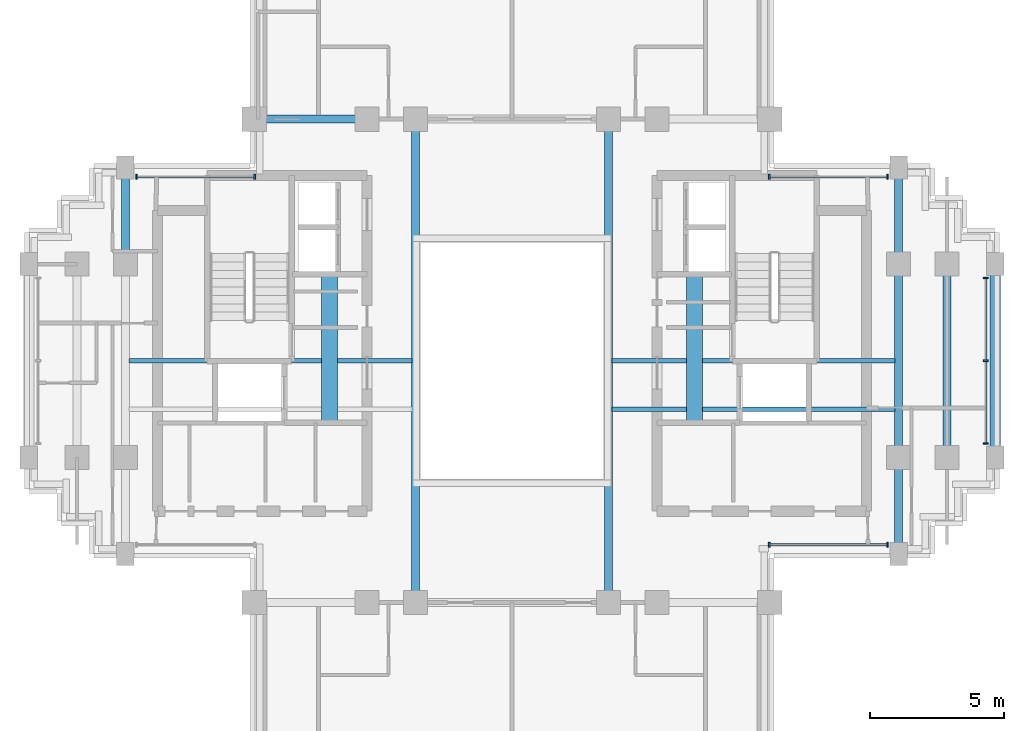
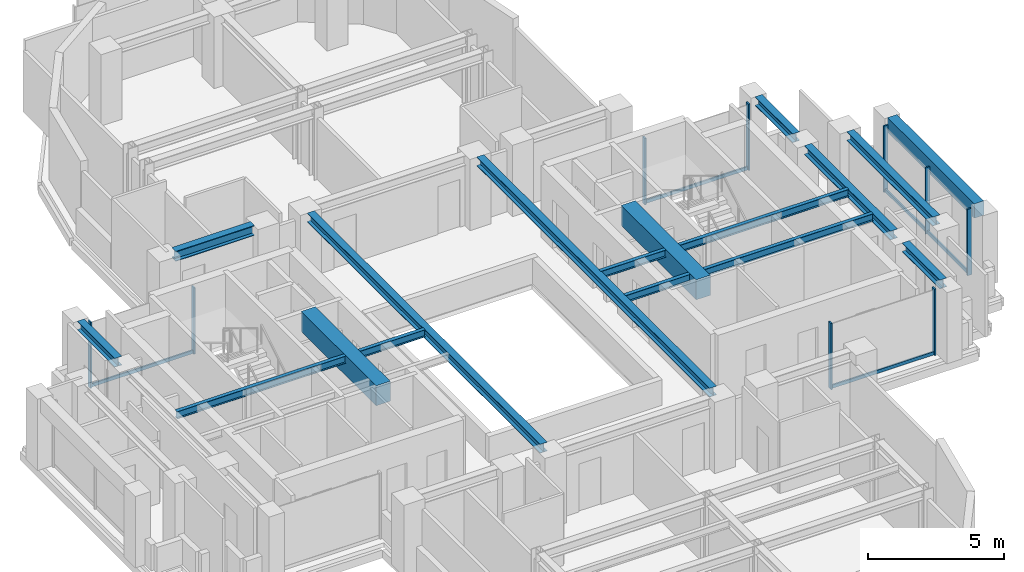
# One storey, part 3 of 12: 14 beams, 14 members, 4 elements without a shape of their own.
"""IFC4 building model written with IfcOpenShell, lengths in metres."""

from ifc_helpers import new_model, si_unit, direction, frame, origin, origin_2d, place, context, subcontext, project, spatial, rectangle, i_section, extrude, source, transform, mapped, material, material_profile, profile_set, type_object, element, aggregate, save


model = new_model("IFC4")

# Units and contexts
model_context = context("Model", 3, precision=1e-05, world=origin(), true_north=direction((0.0, 1.0)))
body_context = subcontext(model_context, "Body", "Model", "MODEL_VIEW")
ifc_project = project(units=[si_unit("LENGTHUNIT", "METRE"), si_unit("AREAUNIT", "SQUARE_METRE"), si_unit("VOLUMEUNIT", "CUBIC_METRE"), si_unit("PLANEANGLEUNIT", "RADIAN"), si_unit("MASSUNIT", "GRAM", prefix="KILO")], contexts=[model_context])

# Site, building, storey
site_placement = place(None, origin())
site = spatial("IfcSite", under=ifc_project, at=site_placement, CompositionType="ELEMENT")
building_placement = place(site_placement, origin())
building = spatial("IfcBuilding", under=site, at=building_placement, Name="Keilestroom Media Tower", CompositionType="ELEMENT")
storey_placement = place(building_placement, frame((0.0, 0.0, 187.60009765625)))
storey = spatial("IfcBuildingStorey", under=building, at=storey_placement, Name="L51", CompositionType="ELEMENT", Elevation=187.60009765625)

# Beams
ifc_material_1 = material(Name="Concrete C70/85", Category="concrete")
ifc_material_profile_1 = material_profile(ifc_material_1, rectangle(XDim=0.60009765625, YDim=0.89990234375, at=origin_2d()), Name="RC 600x900")
ifc_profile_set_1 = profile_set([ifc_material_profile_1], Name="Concrete C70/85")
beam_type_1 = type_object("IfcBeamType", Name="Core-Coupling-Lintel-Beam-RC-600x900", PredefinedType="LINTEL", material=ifc_profile_set_1)
shared_shape_1 = source(origin(), body_context, "Body", "SweptSolid", [
    extrude(rectangle(XDim=0.60009765625, YDim=0.89990234375, at=origin_2d()), origin(), (0.0, 0.0, 1.0), 5.52001953125),
])
for number, where, z_axis, x_axis, name in (
    (1, (-6.800048828125, -2.300048828125, 2.75), (0.0, 1.0, 0.0), (-1.0, 0.0, 0.0), "L51 Beam CLB-1 CLB-L51-W"),
    (2, (6.800048828125, -2.300048828125, 2.75), (0.0, 1.0, 0.0), (-1.0, 0.0, 0.0), "L51 Beam CLB-1 CLB-L51-E"),
):
    element("IfcBeam", number, at=place(storey_placement, frame(where, z_axis=z_axis, x_axis=x_axis)), inside=storey, type_object=beam_type_1, Name=name, PredefinedType="LINTEL", context=body_context, shape_type="MappedRepresentation", body=[
        mapped(shared_shape_1, transform((0.0, 0.0, 0.0), x_axis=(1.0, 0.0, 0.0), y_axis=(0.0, 1.0, 0.0), z_axis=(0.0, 0.0, 1.0), scale=1.0)),
    ])
ifc_material_2 = material(Name="Steel S355", Category="steel")
ifc_material_profile_2 = material_profile(ifc_material_2, i_section(OverallWidth=0.300048828125, OverallDepth=0.449951171875, WebThickness=0.011962890625, FlangeThickness=0.02587890625, at=origin_2d()), Name="HEB 450")
ifc_profile_set_2 = profile_set([ifc_material_profile_2], Name="Steel S355")
beam_type_2 = type_object("IfcBeamType", Name="Primary-Structural-Girder-HEB-450", PredefinedType="BEAM", material=ifc_profile_set_2)
shared_shape_2 = source(origin(), body_context, "Body", "SweptSolid", [
    extrude(i_section(OverallWidth=0.300048828125, OverallDepth=0.449951171875, WebThickness=0.011962890625, FlangeThickness=0.02587890625, at=origin_2d()), origin(), (0.0, 0.0, 1.0), 3.33984375),
])
beam_1_placement = place(storey_placement, frame((-9.169921875, 9.0, 2.974853515625), z_axis=(1.0, 0.0, 0.0), x_axis=(0.0, 1.0, 0.0)))
element("IfcBeam", 3, at=beam_1_placement, inside=storey, type_object=beam_type_2, Name="L51 Beam BG-7 BM-L51-EW-020", PredefinedType="BEAM", context=body_context, shape_type="MappedRepresentation", body=[
    mapped(shared_shape_2, transform((0.0, 0.0, 0.0), x_axis=(1.0, 0.0, 0.0), y_axis=(0.0, 1.0, 0.0), z_axis=(0.0, 0.0, 1.0), scale=1.0)),
])
ifc_material_3 = material(Name="Precast concrete C40/50", Category="concrete")
ifc_material_profile_3 = material_profile(ifc_material_3, rectangle(XDim=0.39990234375, YDim=0.64990234375, at=origin_2d()), Name="PC 400x650")
ifc_profile_set_3 = profile_set([ifc_material_profile_3], Name="Precast concrete C40/50")
beam_type_3 = type_object("IfcBeamType", Name="Perimeter-Spandrel-Beam-PC-400x650", PredefinedType="SPANDREL", material=ifc_profile_set_3)
shared_shape_3 = source(origin(), body_context, "Body", "SweptSolid", [
    extrude(rectangle(XDim=0.39990234375, YDim=0.64990234375, at=origin_2d()), origin(), (0.0, 0.0, 1.0), 6.39013671875),
])
beam_2_placement = place(storey_placement, frame((18.0, -3.195068359375, 2.875), z_axis=(0.0, 1.0, 0.0), x_axis=(-1.0, 0.0, 0.0)))
element("IfcBeam", 4, at=beam_2_placement, inside=storey, type_object=beam_type_3, Name="L51 Beam SPB-2 BM-L51-NS-054", PredefinedType="SPANDREL", context=body_context, shape_type="MappedRepresentation", body=[
    mapped(shared_shape_3, transform((0.0, 0.0, 0.0), x_axis=(1.0, 0.0, 0.0), y_axis=(0.0, 1.0, 0.0), z_axis=(0.0, 0.0, 1.0), scale=1.0)),
])
ifc_material_profile_4 = material_profile(ifc_material_2, i_section(OverallWidth=0.300048828125, OverallDepth=0.39990234375, WebThickness=0.011474609375, FlangeThickness=0.02392578125, at=origin_2d()), Name="HEB 400")
ifc_profile_set_4 = profile_set([ifc_material_profile_4], Name="Steel S355")
beam_type_4 = type_object("IfcBeamType", Name="Primary-Structural-Girder-HEB-400", PredefinedType="BEAM", material=ifc_profile_set_4)
shared_shape_4 = source(origin(), body_context, "Body", "SweptSolid", [
    extrude(i_section(OverallWidth=0.300048828125, OverallDepth=0.39990234375, WebThickness=0.011474609375, FlangeThickness=0.02392578125, at=origin_2d()), origin(), (0.0, 0.0, 1.0), 6.33984375),
])
for number, where, z_axis, x_axis, name in (
    (5, (14.39990234375, -3.169921875, 3.0), (0.0, 1.0, 0.0), (-1.0, 0.0, 0.0), "L51 Beam BG-8 BM-L51-NS-051"),
    (6, (16.199951171875, -3.169921875, 3.0), (0.0, 1.0, 0.0), (-1.0, 0.0, 0.0), "L51 Beam BG-8 BM-L51-NS-053"),
):
    element("IfcBeam", number, at=place(storey_placement, frame(where, z_axis=z_axis, x_axis=x_axis)), inside=storey, type_object=beam_type_4, Name=name, PredefinedType="BEAM", context=body_context, shape_type="MappedRepresentation", body=[
        mapped(shared_shape_4, transform((0.0, 0.0, 0.0), x_axis=(1.0, 0.0, 0.0), y_axis=(0.0, 1.0, 0.0), z_axis=(0.0, 0.0, 1.0), scale=1.0)),
    ])
shared_shape_5 = source(origin(), body_context, "Body", "SweptSolid", [
    extrude(i_section(OverallWidth=0.300048828125, OverallDepth=0.39990234375, WebThickness=0.011474609375, FlangeThickness=0.02392578125, at=origin_2d()), origin(), (0.0, 0.0, 1.0), 2.764892578125),
])
for number, where, z_axis, x_axis, name in (
    (7, (-14.39990234375, 4.030029296875, 3.0), (0.0, 1.0, 0.0), (-1.0, 0.0, 0.0), "L51 Beam BG-8 BM-L51-NS-035"),
    (8, (14.39990234375, -6.794921875, 3.0), (0.0, 1.0, 0.0), (-1.0, 0.0, 0.0), "L51 Beam BG-8 BM-L51-NS-050"),
    (9, (14.39990234375, 4.030029296875, 3.0), (0.0, 1.0, 0.0), (-1.0, 0.0, 0.0), "L51 Beam BG-8 BM-L51-NS-052"),
):
    element("IfcBeam", number, at=place(storey_placement, frame(where, z_axis=z_axis, x_axis=x_axis)), inside=storey, type_object=beam_type_4, Name=name, PredefinedType="BEAM", context=body_context, shape_type="MappedRepresentation", body=[
        mapped(shared_shape_5, transform((0.0, 0.0, 0.0), x_axis=(1.0, 0.0, 0.0), y_axis=(0.0, 1.0, 0.0), z_axis=(0.0, 0.0, 1.0), scale=1.0)),
    ])
shared_shape_6 = source(origin(), body_context, "Body", "SweptSolid", [
    extrude(i_section(OverallWidth=0.300048828125, OverallDepth=0.39990234375, WebThickness=0.011474609375, FlangeThickness=0.02392578125, at=origin_2d()), origin(), (0.0, 0.0, 1.0), 17.14013671875),
])
for number, where, z_axis, x_axis, name in (
    (10, (-3.60009765625, -8.570068359375, 3.0), (0.0, 1.0, 0.0), (-1.0, 0.0, 0.0), "L51 Beam BG-8 BM-L51-NS-040"),
    (11, (3.60009765625, -8.570068359375, 3.0), (0.0, 1.0, 0.0), (-1.0, 0.0, 0.0), "L51 Beam BG-8 BM-L51-NS-045"),
):
    element("IfcBeam", number, at=place(storey_placement, frame(where, z_axis=z_axis, x_axis=x_axis)), inside=storey, type_object=beam_type_4, Name=name, PredefinedType="BEAM", context=body_context, shape_type="MappedRepresentation", body=[
        mapped(shared_shape_6, transform((0.0, 0.0, 0.0), x_axis=(1.0, 0.0, 0.0), y_axis=(0.0, 1.0, 0.0), z_axis=(0.0, 0.0, 1.0), scale=1.0)),
    ])
ifc_material_profile_5 = material_profile(ifc_material_2, i_section(OverallWidth=0.159912109375, OverallDepth=0.330078125, WebThickness=0.007568359375, FlangeThickness=0.011474609375, at=origin_2d()), Name="IPE 330")
ifc_profile_set_5 = profile_set([ifc_material_profile_5], Name="Steel S355")
beam_type_5 = type_object("IfcBeamType", Name="Secondary-Floor-Joist-IPE-330", PredefinedType="JOIST", material=ifc_profile_set_5)
shared_shape_7 = source(origin(), body_context, "Body", "SweptSolid", [
    extrude(i_section(OverallWidth=0.159912109375, OverallDepth=0.330078125, WebThickness=0.007568359375, FlangeThickness=0.011474609375, at=origin_2d()), origin(), (0.0, 0.0, 1.0), 10.5400390625),
])
for number, where, z_axis, x_axis, name in (
    (12, (3.72998046875, -1.800048828125, 3.034912109375), (1.0, 0.0, 0.0), (0.0, 1.0, 0.0), "L51 Beam BJ-6 JST-L51-059"),
    (13, (-14.27001953125, 0.0, 3.034912109375), (1.0, 0.0, 0.0), (0.0, 1.0, 0.0), "L51 Beam BJ-6 JST-L51-060"),
    (14, (3.72998046875, 0.0, 3.034912109375), (1.0, 0.0, 0.0), (0.0, 1.0, 0.0), "L51 Beam BJ-6 JST-L51-062"),
):
    element("IfcBeam", number, at=place(storey_placement, frame(where, z_axis=z_axis, x_axis=x_axis)), inside=storey, type_object=beam_type_5, Name=name, PredefinedType="JOIST", context=body_context, shape_type="MappedRepresentation", body=[
        mapped(shared_shape_7, transform((0.0, 0.0, 0.0), x_axis=(1.0, 0.0, 0.0), y_axis=(0.0, 1.0, 0.0), z_axis=(0.0, 0.0, 1.0), scale=1.0)),
    ])

# Curtain wall, members
ifc_material_4 = material(Name="Anodised Aluminium Alloy", Category="aluminium")
curtain_wall_type = type_object("IfcCurtainWallType", Name="Unitised-Curtain-Wall-CW-3", PredefinedType="NOTDEFINED", material=ifc_material_4)
curtain_wall_1_placement = place(storey_placement, origin())
curtain_wall_1 = element("IfcCurtainWall", 15, at=curtain_wall_1_placement, inside=storey, type_object=curtain_wall_type, Name="L51 Curtain Wall CW-3 CW-L51-E-1", PredefinedType="NOTDEFINED")
ifc_material_profile_6 = material_profile(ifc_material_4, rectangle(XDim=0.06494140625, YDim=0.179931640625, at=origin_2d()), Name="ALU MULLION 65x180")
ifc_profile_set_6 = profile_set([ifc_material_profile_6], Name="Anodised Aluminium Alloy")
member_type_1 = type_object("IfcMemberType", Name="Curtain-Wall-Mullion-CW-3", PredefinedType="MULLION", material=ifc_profile_set_6)
shared_shape_8 = source(origin(), body_context, "Body", "SweptSolid", [
    extrude(rectangle(XDim=0.06494140625, YDim=0.179931640625, at=origin_2d()), origin(), (0.0, 0.0, 1.0), 2.97998046875),
])
member_1_placement = place(storey_placement, frame((17.64990234375, -3.08251953125, 0.0), z_axis=(0.0, 0.0, 1.0), x_axis=(0.0, 1.0, 0.0)))
member_1 = element("IfcMember", 16, at=member_1_placement, type_object=member_type_1, Name="CW-3 Mullion 00", PredefinedType="MULLION", context=body_context, shape_type="MappedRepresentation", body=[
    mapped(shared_shape_8, transform((0.0, 0.0, 0.0), x_axis=(1.0, 0.0, 0.0), y_axis=(0.0, 1.0, 0.0), z_axis=(0.0, 0.0, 1.0), scale=1.0)),
])
member_2_placement = place(storey_placement, frame((17.64990234375, 0.0, 0.0), z_axis=(0.0, 0.0, 1.0), x_axis=(0.0, 1.0, 0.0)))
member_2 = element("IfcMember", 17, at=member_2_placement, type_object=member_type_1, Name="CW-3 Mullion 01", PredefinedType="MULLION", context=body_context, shape_type="MappedRepresentation", body=[
    mapped(shared_shape_8, transform((0.0, 0.0, 0.0), x_axis=(1.0, 0.0, 0.0), y_axis=(0.0, 1.0, 0.0), z_axis=(0.0, 0.0, 1.0), scale=1.0)),
])
member_3_placement = place(storey_placement, frame((17.64990234375, 3.08251953125, 0.0), z_axis=(0.0, 0.0, 1.0), x_axis=(0.0, 1.0, 0.0)))
member_3 = element("IfcMember", 18, at=member_3_placement, type_object=member_type_1, Name="CW-3 Mullion 02", PredefinedType="MULLION", context=body_context, shape_type="MappedRepresentation", body=[
    mapped(shared_shape_8, transform((0.0, 0.0, 0.0), x_axis=(1.0, 0.0, 0.0), y_axis=(0.0, 1.0, 0.0), z_axis=(0.0, 0.0, 1.0), scale=1.0)),
])

curtain_wall_2_placement = place(storey_placement, origin())
curtain_wall_2 = element("IfcCurtainWall", 19, at=curtain_wall_2_placement, inside=storey, type_object=curtain_wall_type, Name="L51 Curtain Wall CW-3 CW-L51-NW-1", PredefinedType="NOTDEFINED")
member_4_placement = place(storey_placement, frame((-13.982421875, 6.85009765625, 0.0), z_axis=(0.0, 0.0, 1.0), x_axis=(1.0, 0.0, 0.0)))
member_4 = element("IfcMember", 20, at=member_4_placement, type_object=member_type_1, Name="CW-3 Mullion 00", PredefinedType="MULLION", context=body_context, shape_type="MappedRepresentation", body=[
    mapped(shared_shape_8, transform((0.0, 0.0, 0.0), x_axis=(1.0, 0.0, 0.0), y_axis=(0.0, 1.0, 0.0), z_axis=(0.0, 0.0, 1.0), scale=1.0)),
])
member_5_placement = place(storey_placement, frame((-9.58251953125, 6.85009765625, 0.0), z_axis=(0.0, 0.0, 1.0), x_axis=(1.0, 0.0, 0.0)))
member_5 = element("IfcMember", 21, at=member_5_placement, type_object=member_type_1, Name="CW-3 Mullion 01", PredefinedType="MULLION", context=body_context, shape_type="MappedRepresentation", body=[
    mapped(shared_shape_8, transform((0.0, 0.0, 0.0), x_axis=(1.0, 0.0, 0.0), y_axis=(0.0, 1.0, 0.0), z_axis=(0.0, 0.0, 1.0), scale=1.0)),
])

curtain_wall_3_placement = place(storey_placement, origin())
curtain_wall_3 = element("IfcCurtainWall", 22, at=curtain_wall_3_placement, inside=storey, type_object=curtain_wall_type, Name="L51 Curtain Wall CW-3 CW-L51-NE-1", PredefinedType="NOTDEFINED")
member_6_placement = place(storey_placement, frame((9.58251953125, 6.85009765625, 0.0), z_axis=(0.0, 0.0, 1.0), x_axis=(1.0, 0.0, 0.0)))
member_6 = element("IfcMember", 23, at=member_6_placement, type_object=member_type_1, Name="CW-3 Mullion 00", PredefinedType="MULLION", context=body_context, shape_type="MappedRepresentation", body=[
    mapped(shared_shape_8, transform((0.0, 0.0, 0.0), x_axis=(1.0, 0.0, 0.0), y_axis=(0.0, 1.0, 0.0), z_axis=(0.0, 0.0, 1.0), scale=1.0)),
])
member_7_placement = place(storey_placement, frame((13.982421875, 6.85009765625, 0.0), z_axis=(0.0, 0.0, 1.0), x_axis=(1.0, 0.0, 0.0)))
member_7 = element("IfcMember", 24, at=member_7_placement, type_object=member_type_1, Name="CW-3 Mullion 01", PredefinedType="MULLION", context=body_context, shape_type="MappedRepresentation", body=[
    mapped(shared_shape_8, transform((0.0, 0.0, 0.0), x_axis=(1.0, 0.0, 0.0), y_axis=(0.0, 1.0, 0.0), z_axis=(0.0, 0.0, 1.0), scale=1.0)),
])

curtain_wall_4_placement = place(storey_placement, origin())
curtain_wall_4 = element("IfcCurtainWall", 25, at=curtain_wall_4_placement, inside=storey, type_object=curtain_wall_type, Name="L51 Curtain Wall CW-3 CW-L51-SE-1", PredefinedType="NOTDEFINED")
member_8_placement = place(storey_placement, frame((9.58251953125, -6.85009765625, 0.0), z_axis=(0.0, 0.0, 1.0), x_axis=(1.0, 0.0, 0.0)))
member_8 = element("IfcMember", 26, at=member_8_placement, type_object=member_type_1, Name="CW-3 Mullion 00", PredefinedType="MULLION", context=body_context, shape_type="MappedRepresentation", body=[
    mapped(shared_shape_8, transform((0.0, 0.0, 0.0), x_axis=(1.0, 0.0, 0.0), y_axis=(0.0, 1.0, 0.0), z_axis=(0.0, 0.0, 1.0), scale=1.0)),
])
member_9_placement = place(storey_placement, frame((13.982421875, -6.85009765625, 0.0), z_axis=(0.0, 0.0, 1.0), x_axis=(1.0, 0.0, 0.0)))
member_9 = element("IfcMember", 27, at=member_9_placement, type_object=member_type_1, Name="CW-3 Mullion 01", PredefinedType="MULLION", context=body_context, shape_type="MappedRepresentation", body=[
    mapped(shared_shape_8, transform((0.0, 0.0, 0.0), x_axis=(1.0, 0.0, 0.0), y_axis=(0.0, 1.0, 0.0), z_axis=(0.0, 0.0, 1.0), scale=1.0)),
])

# Member
ifc_material_profile_7 = material_profile(ifc_material_4, rectangle(XDim=0.06494140625, YDim=0.14990234375, at=origin_2d()), Name="ALU TRANSOM 65x150")
ifc_profile_set_7 = profile_set([ifc_material_profile_7], Name="Anodised Aluminium Alloy")
member_type_2 = type_object("IfcMemberType", Name="Curtain-Wall-Transom-CW-3", PredefinedType="USERDEFINED", material=ifc_profile_set_7)
shared_shape_9 = source(origin(), body_context, "Body", "SweptSolid", [
    extrude(rectangle(XDim=0.06494140625, YDim=0.14990234375, at=origin_2d()), origin(), (0.0, 0.0, 1.0), 4.3388671875),
])
member_10_placement = place(storey_placement, frame((-13.951904296875, 6.85009765625, 0.074951171875), z_axis=(1.0, 0.0, 0.0), x_axis=(0.0, 1.0, 0.0)))
member_10 = element("IfcMember", 28, at=member_10_placement, type_object=member_type_2, Name="CW-3 Transom 00.1", ObjectType="TRANSOM", PredefinedType="USERDEFINED", context=body_context, shape_type="MappedRepresentation", body=[
    mapped(shared_shape_9, transform((0.0, 0.0, 0.0), x_axis=(1.0, 0.0, 0.0), y_axis=(0.0, 1.0, 0.0), z_axis=(0.0, 0.0, 1.0), scale=1.0)),
])

aggregate(curtain_wall_2, [member_4, member_5, member_10])

member_11_placement = place(storey_placement, frame((9.613037109375, 6.85009765625, 0.074951171875), z_axis=(1.0, 0.0, 0.0), x_axis=(0.0, 1.0, 0.0)))
member_11 = element("IfcMember", 29, at=member_11_placement, type_object=member_type_2, Name="CW-3 Transom 00.1", ObjectType="TRANSOM", PredefinedType="USERDEFINED", context=body_context, shape_type="MappedRepresentation", body=[
    mapped(shared_shape_9, transform((0.0, 0.0, 0.0), x_axis=(1.0, 0.0, 0.0), y_axis=(0.0, 1.0, 0.0), z_axis=(0.0, 0.0, 1.0), scale=1.0)),
])

aggregate(curtain_wall_3, [member_6, member_7, member_11])

member_12_placement = place(storey_placement, frame((9.613037109375, -6.85009765625, 0.074951171875), z_axis=(1.0, 0.0, 0.0), x_axis=(0.0, 1.0, 0.0)))
member_12 = element("IfcMember", 30, at=member_12_placement, type_object=member_type_2, Name="CW-3 Transom 00.1", ObjectType="TRANSOM", PredefinedType="USERDEFINED", context=body_context, shape_type="MappedRepresentation", body=[
    mapped(shared_shape_9, transform((0.0, 0.0, 0.0), x_axis=(1.0, 0.0, 0.0), y_axis=(0.0, 1.0, 0.0), z_axis=(0.0, 0.0, 1.0), scale=1.0)),
])

aggregate(curtain_wall_4, [member_8, member_9, member_12])

shared_shape_10 = source(origin(), body_context, "Body", "SweptSolid", [
    extrude(rectangle(XDim=0.06494140625, YDim=0.14990234375, at=origin_2d()), origin(), (0.0, 0.0, 1.0), 3.021484375),
])
member_13_placement = place(storey_placement, frame((17.64990234375, -3.052001953125, 0.074951171875), z_axis=(0.0, 1.0, 0.0), x_axis=(-1.0, 0.0, 0.0)))
member_13 = element("IfcMember", 31, at=member_13_placement, type_object=member_type_2, Name="CW-3 Transom 00.1", ObjectType="TRANSOM", PredefinedType="USERDEFINED", context=body_context, shape_type="MappedRepresentation", body=[
    mapped(shared_shape_10, transform((0.0, 0.0, 0.0), x_axis=(1.0, 0.0, 0.0), y_axis=(0.0, 1.0, 0.0), z_axis=(0.0, 0.0, 1.0), scale=1.0)),
])

member_14_placement = place(storey_placement, frame((17.64990234375, 0.030517578125, 0.074951171875), z_axis=(0.0, 1.0, 0.0), x_axis=(-1.0, 0.0, 0.0)))
member_14 = element("IfcMember", 32, at=member_14_placement, type_object=member_type_2, Name="CW-3 Transom 01.1", ObjectType="TRANSOM", PredefinedType="USERDEFINED", context=body_context, shape_type="MappedRepresentation", body=[
    mapped(shared_shape_10, transform((0.0, 0.0, 0.0), x_axis=(1.0, 0.0, 0.0), y_axis=(0.0, 1.0, 0.0), z_axis=(0.0, 0.0, 1.0), scale=1.0)),
])

aggregate(curtain_wall_1, [member_1, member_2, member_3, member_13, member_14])

save(model, "model.ifc")
